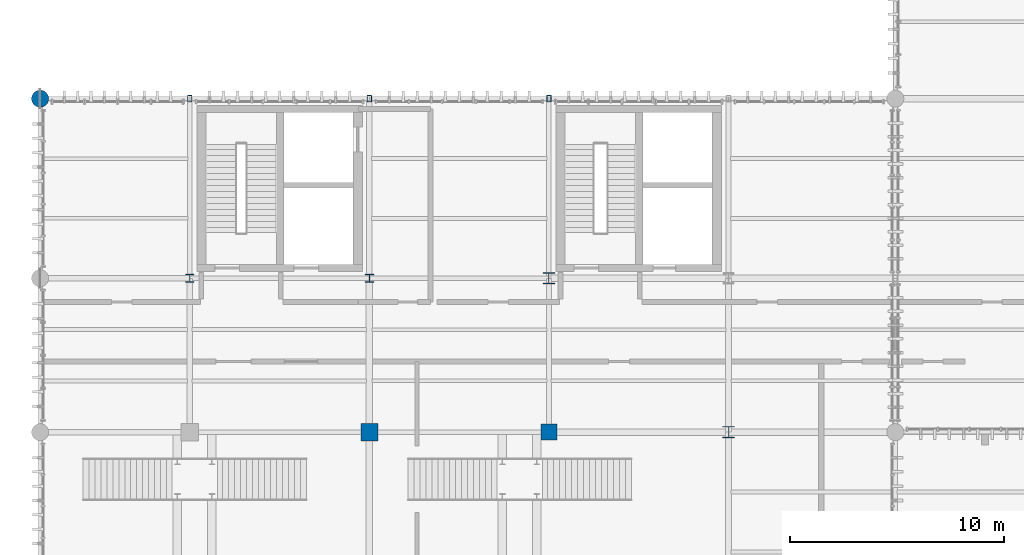
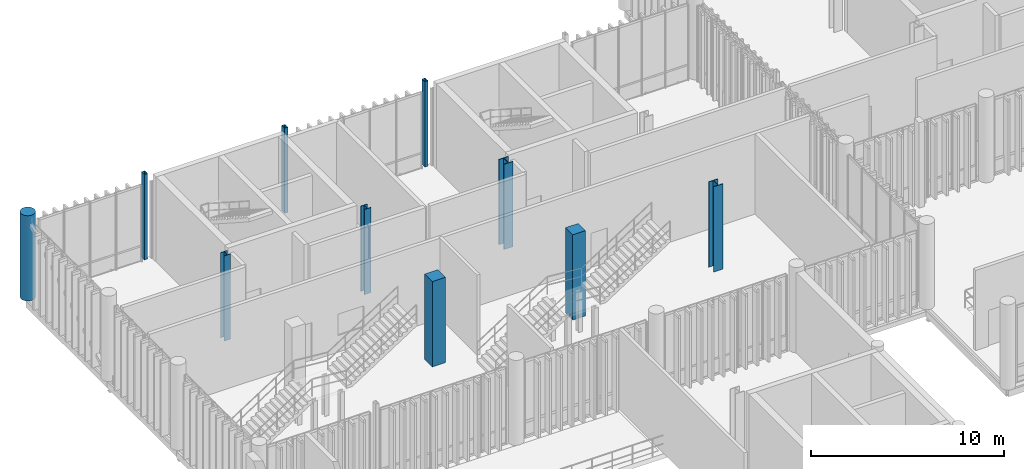
# One storey, part 3 of 128: 10 columns.
"""IFC4 building model written with IfcOpenShell, lengths in metres."""

from ifc_helpers import new_model, si_unit, direction, frame, origin_with_axes, origin_2d_with_axis, place, context, subcontext, project, spatial, rectangle, hollow_rectangle, circle, i_section, extrude, material, material_profile, profile_set, type_object, element, save


model = new_model("IFC4")

# Units and contexts
model_context = context("Model", 3, precision=1e-05, world=origin_with_axes(), true_north=direction((0.0, 1.0)))
body_context = subcontext(model_context, "Body", "Model", "MODEL_VIEW")
ifc_project = project(units=[si_unit("LENGTHUNIT", "METRE"), si_unit("AREAUNIT", "SQUARE_METRE"), si_unit("VOLUMEUNIT", "CUBIC_METRE"), si_unit("PLANEANGLEUNIT", "RADIAN"), si_unit("MASSUNIT", "GRAM", prefix="KILO"), si_unit("THERMODYNAMICTEMPERATUREUNIT", "KELVIN")], contexts=[model_context])

# Site, building, storey
site_placement = place(None, origin_with_axes())
site = spatial("IfcSite", under=ifc_project, at=site_placement, CompositionType="ELEMENT")
building_placement = place(site_placement, origin_with_axes())
building = spatial("IfcBuilding", under=site, at=building_placement, Name="Montbau Bow Law Courts", CompositionType="ELEMENT")
storey_placement = place(building_placement, frame((0.0, 0.0, 5.4), z_axis=(0.0, 0.0, 1.0), x_axis=(1.0, 0.0, 0.0)))
storey = spatial("IfcBuildingStorey", under=building, at=storey_placement, Name="L01", CompositionType="ELEMENT", Elevation=5.4)

# Columns
ifc_material_1 = material(Name="Steel CSA G40.21 Grade 350WT (350 MPa)", Category="steel")
ifc_material_profile_1 = material_profile(ifc_material_1, hollow_rectangle(XDim=0.203, YDim=0.305, WallThickness=0.0127, InnerFilletRadius=0.0254, OuterFilletRadius=0.0127, at=origin_2d_with_axis()), Name="HSS305X203X13", Category="Main", Priority=0)
ifc_profile_set_1 = profile_set([ifc_material_profile_1], Name="Steel CSA G40.21 Grade 350WT (350 MPa)")
column_type_1 = type_object("IfcColumnType", Name="C-HSS-03", PredefinedType="COLUMN", material=ifc_profile_set_1)
for number, where, z_axis, x_axis, name in (
    (1, (13.8, 54.6, 5.4), (0.0, 0.0, 1.0), (1.0, 0.0, 0.0), "C-L01-S0372:col2_0372"),
    (2, (22.2, 54.6, 5.4), (0.0, 0.0, 1.0), (1.0, 0.0, 0.0), "C-L01-S0378:col2_0378"),
    (3, (30.6, 54.6, 5.4), (0.0, 0.0, 1.0), (1.0, 0.0, 0.0), "C-L01-S0385:col2_0385"),
):
    element("IfcColumn", number, at=place(None, frame(where, z_axis=z_axis, x_axis=x_axis)), inside=storey, type_object=column_type_1, Name=name, PredefinedType="COLUMN", context=body_context, shape_type="SweptSolid", body=[
        extrude(hollow_rectangle(XDim=0.203, YDim=0.305, WallThickness=0.0127, InnerFilletRadius=0.0254, OuterFilletRadius=0.0127, at=origin_2d_with_axis()), origin_with_axes(), (0.0, 0.0, 1.0), 5.4),
    ])
ifc_material_2 = material(Name="Concrete CSA A23.1 f'c 45 MPa", Category="concrete")
ifc_material_profile_2 = material_profile(ifc_material_2, rectangle(XDim=0.8, YDim=0.8, at=origin_2d_with_axis()), Name="RC800X800", Category="Main", Priority=0)
ifc_profile_set_2 = profile_set([ifc_material_profile_2], Name="Concrete CSA A23.1 f'c 45 MPa")
column_type_2 = type_object("IfcColumnType", Name="C-RC-02", PredefinedType="COLUMN", material=ifc_profile_set_2)
column_1_placement = place(None, frame((22.2, 39.0, 5.4), z_axis=(0.0, 0.0, 1.0), x_axis=(1.0, 0.0, 0.0)))
element("IfcColumn", 4, at=column_1_placement, inside=storey, type_object=column_type_2, Name="C-L01-S0376:col2_0376", PredefinedType="COLUMN", context=body_context, shape_type="SweptSolid", body=[
    extrude(rectangle(XDim=0.8, YDim=0.8, at=origin_2d_with_axis()), origin_with_axes(), (0.0, 0.0, 1.0), 5.4),
])
ifc_material_3 = material(Name="Concrete CSA A23.1 f'c 40 MPa", Category="concrete")
ifc_material_profile_3 = material_profile(ifc_material_3, rectangle(XDim=0.75, YDim=0.75, at=origin_2d_with_axis()), Name="RC750X750", Category="Main", Priority=0)
ifc_profile_set_3 = profile_set([ifc_material_profile_3], Name="Concrete CSA A23.1 f'c 40 MPa")
column_type_3 = type_object("IfcColumnType", Name="C-RC-03", PredefinedType="COLUMN", material=ifc_profile_set_3)
column_2_placement = place(None, frame((30.6, 39.0, 5.4), z_axis=(0.0, 0.0, 1.0), x_axis=(1.0, 0.0, 0.0)))
element("IfcColumn", 5, at=column_2_placement, inside=storey, type_object=column_type_3, Name="C-L01-S0383:col2_0383", PredefinedType="COLUMN", context=body_context, shape_type="SweptSolid", body=[
    extrude(rectangle(XDim=0.75, YDim=0.75, at=origin_2d_with_axis()), origin_with_axes(), (0.0, 0.0, 1.0), 5.4),
])
ifc_material_profile_4 = material_profile(ifc_material_3, circle(Radius=0.4, at=origin_2d_with_axis()), Name="RC800D", Category="Main", Priority=0)
ifc_profile_set_4 = profile_set([ifc_material_profile_4], Name="Concrete CSA A23.1 f'c 40 MPa")
column_type_4 = type_object("IfcColumnType", Name="C-RC-07", PredefinedType="COLUMN", material=ifc_profile_set_4)
column_3_placement = place(None, frame((6.8, 54.6, 5.4), z_axis=(0.0, 0.0, 1.0), x_axis=(1.0, 0.0, 0.0)))
element("IfcColumn", 6, at=column_3_placement, inside=storey, type_object=column_type_4, Name="C-L01-S0365:col2_0365", PredefinedType="COLUMN", context=body_context, shape_type="SweptSolid", body=[
    extrude(circle(Radius=0.4, at=origin_2d_with_axis()), origin_with_axes(), (0.0, 0.0, 1.0), 5.4),
])
ifc_material_4 = material(Name="Steel CSA G40.21 Grade 350W (350 MPa)", Category="steel")
ifc_material_profile_5 = material_profile(ifc_material_4, i_section(OverallWidth=0.55, OverallDepth=0.55, WebThickness=0.025, FlangeThickness=0.042, at=origin_2d_with_axis()), Name="WWF550X420", Category="Main", Priority=0)
ifc_profile_set_5 = profile_set([ifc_material_profile_5], Name="Steel CSA G40.21 Grade 350W (350 MPa)")
column_type_5 = type_object("IfcColumnType", Name="C-STL-01", PredefinedType="COLUMN", material=ifc_profile_set_5)
for number, where, z_axis, x_axis, name in (
    (7, (30.6, 46.2, 5.4), (0.0, 0.0, 1.0), (1.0, 0.0, 0.0), "C-L01-S0384:col2_0384"),
    (8, (39.0, 39.0, 5.4), (0.0, 0.0, 1.0), (1.0, 0.0, 0.0), "C-L01-S0390:col2_0390"),
):
    element("IfcColumn", number, at=place(None, frame(where, z_axis=z_axis, x_axis=x_axis)), inside=storey, type_object=column_type_5, Name=name, PredefinedType="COLUMN", context=body_context, shape_type="SweptSolid", body=[
        extrude(i_section(OverallWidth=0.55, OverallDepth=0.55, WebThickness=0.025, FlangeThickness=0.042, at=origin_2d_with_axis()), origin_with_axes(), (0.0, 0.0, 1.0), 5.4),
    ])
ifc_material_profile_6 = material_profile(ifc_material_4, i_section(OverallWidth=0.395, OverallDepth=0.38, WebThickness=0.0189, FlangeThickness=0.0302, at=origin_2d_with_axis()), Name="W360X237", Category="Main", Priority=0)
ifc_profile_set_6 = profile_set([ifc_material_profile_6], Name="Steel CSA G40.21 Grade 350W (350 MPa)")
column_type_6 = type_object("IfcColumnType", Name="C-STL-03", PredefinedType="COLUMN", material=ifc_profile_set_6)
for number, where, z_axis, x_axis, name in (
    (9, (13.8, 46.2, 5.4), (0.0, 0.0, 1.0), (1.0, 0.0, 0.0), "C-L01-S0371:col2_0371"),
    (10, (22.2, 46.2, 5.4), (0.0, 0.0, 1.0), (1.0, 0.0, 0.0), "C-L01-S0377:col2_0377"),
):
    element("IfcColumn", number, at=place(None, frame(where, z_axis=z_axis, x_axis=x_axis)), inside=storey, type_object=column_type_6, Name=name, PredefinedType="COLUMN", context=body_context, shape_type="SweptSolid", body=[
        extrude(i_section(OverallWidth=0.395, OverallDepth=0.38, WebThickness=0.0189, FlangeThickness=0.0302, at=origin_2d_with_axis()), origin_with_axes(), (0.0, 0.0, 1.0), 5.4),
    ])

save(model, "model.ifc")
